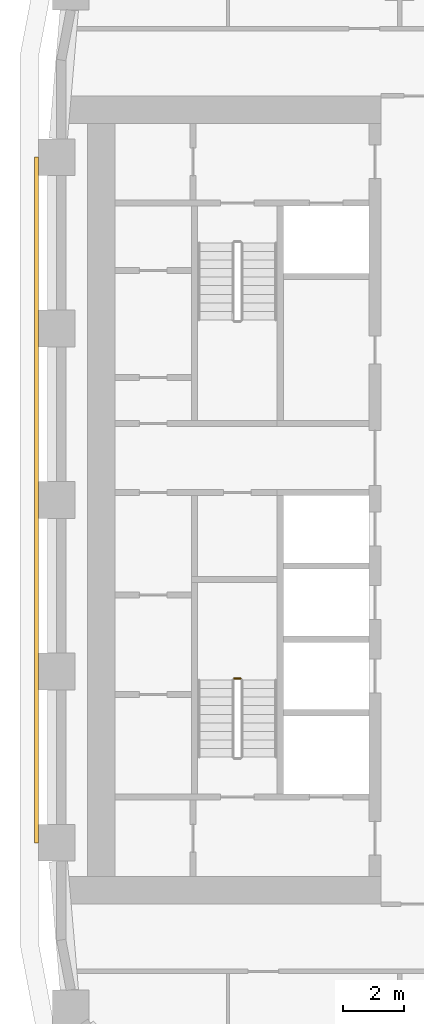
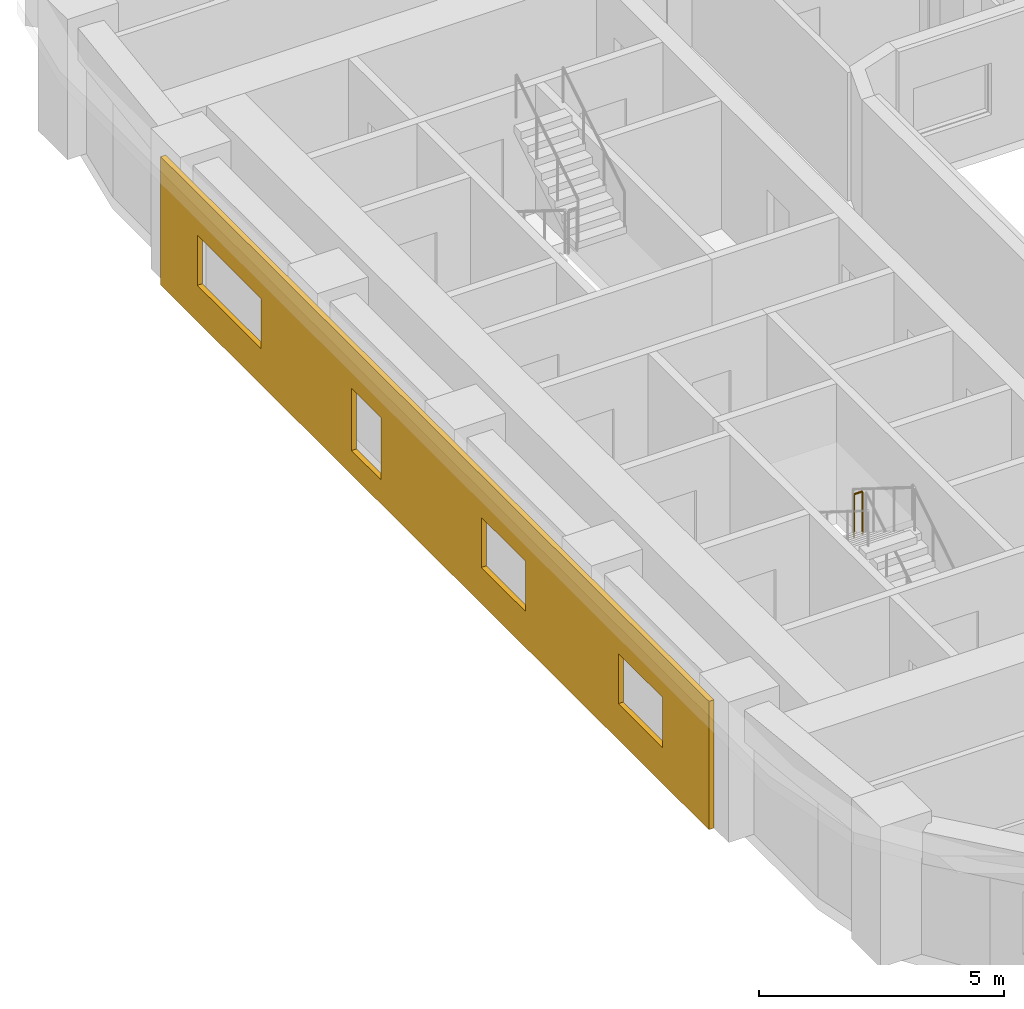
# One storey, part 13 of 22: 1 covering, 1 railing.
"""IFC4 building model written with IfcOpenShell, lengths in metres."""

from ifc_helpers import new_model, si_unit, direction, frame, origin, origin_2d, place, context, subcontext, project, spatial, polyline, circle, outline, extrude, material, layer, layer_set, type_object, element, save


model = new_model("IFC4")

# Units and contexts
model_context = context("Model", 3, precision=1e-05, world=origin(), true_north=direction((0.0, 1.0)))
body_context = subcontext(model_context, "Body", "Model", "MODEL_VIEW")
ifc_project = project(units=[si_unit("LENGTHUNIT", "METRE"), si_unit("AREAUNIT", "SQUARE_METRE"), si_unit("VOLUMEUNIT", "CUBIC_METRE"), si_unit("PLANEANGLEUNIT", "RADIAN"), si_unit("MASSUNIT", "GRAM", prefix="KILO")], contexts=[model_context])

# Site, building, storey
site_placement = place(None, origin())
site = spatial("IfcSite", under=ifc_project, at=site_placement, CompositionType="ELEMENT")
building_placement = place(site_placement, origin())
building = spatial("IfcBuilding", under=site, at=building_placement, Name="Kiln Ring Residences", CompositionType="ELEMENT")
storey_placement = place(building_placement, frame((0.0, 0.0, 111.300048828125)))
storey = spatial("IfcBuildingStorey", under=building, at=storey_placement, Name="L28", CompositionType="ELEMENT", Elevation=111.300048828125)

# Railing
ifc_material_1 = material(Name="Stainless steel", Category="steel")
railing_type = type_object("IfcRailingType", Name="CORE-STAIR-GUARD", PredefinedType="GUARDRAIL", material=ifc_material_1)
railing_placement = place(storey_placement, frame((-22.0, -5.830078125, 1.75)))
element("IfcRailing", 1, at=railing_placement, inside=storey, type_object=railing_type, Name="L28 W-STS stair guard 2", PredefinedType="GUARDRAIL", context=body_context, shape_type="SweptSolid", body=[
    extrude(circle(Radius=0.02392578125, at=origin_2d()), frame((0.0, 0.0, 1.076171875), z_axis=(-1.0, 0.0, 0.0), x_axis=(0.0, -1.0, 0.0)), (0.0, 0.0, 1.0), 0.199951171875),
    extrude(circle(Radius=0.02099609375, at=origin_2d()), origin(), (0.0, 0.0, 1.0), 1.052001953125),
    extrude(circle(Radius=0.02099609375, at=origin_2d()), frame((-0.199951171875, 0.0, 0.0)), (0.0, 0.0, 1.0), 1.052001953125),
])

# Covering
ifc_material_2 = material(Name="Brick masonry, dark clay brick", Category="masonry")
ifc_layer = layer(ifc_material_2, 0.1201171875)
ifc_layer_set = layer_set([ifc_layer], Name="RAINSCREEN PANEL 120")
covering_type = type_object("IfcCoveringType", Name="RAINSCREEN PANEL 120", PredefinedType="CLADDING", material=ifc_layer_set)
covering_placement = place(storey_placement, frame((-28.659912109375, 11.199951171875, 0.0), z_axis=(0.0, 0.0, 1.0), x_axis=(0.0, -1.0, 0.0)))
element("IfcCovering", 2, at=covering_placement, inside=storey, type_object=covering_type, Name="RAINSCREEN L28", PredefinedType="CLADDING", context=body_context, shape_type="SweptSolid", body=[
    extrude(outline(polyline([(0.0, 0.0), (22.39990234375, 0.0), (22.39990234375, 3.199951171875), (0.0, 3.199951171875), (0.0, 0.0)]), holes=[polyline([(9.0, 0.599853515625), (9.0, 2.14990234375), (7.800048828125, 2.14990234375), (7.800048828125, 0.599853515625), (9.0, 0.599853515625)]), polyline([(4.10009765625, 0.89990234375), (4.10009765625, 2.14990234375), (1.5, 2.14990234375), (1.5, 0.89990234375), (4.10009765625, 0.89990234375)]), polyline([(14.89990234375, 0.89990234375), (14.89990234375, 2.14990234375), (13.10009765625, 2.14990234375), (13.10009765625, 0.89990234375), (14.89990234375, 0.89990234375)]), polyline([(20.5, 0.89990234375), (20.5, 2.14990234375), (18.699951171875, 2.14990234375), (18.699951171875, 0.89990234375), (20.5, 0.89990234375)])]), frame((0.0, 0.06005859375, 0.0), z_axis=(0.0, -1.0, 0.0), x_axis=(1.0, 0.0, 0.0)), (0.0, 0.0, 1.0), 0.1201171875),
])

save(model, "model.ifc")
